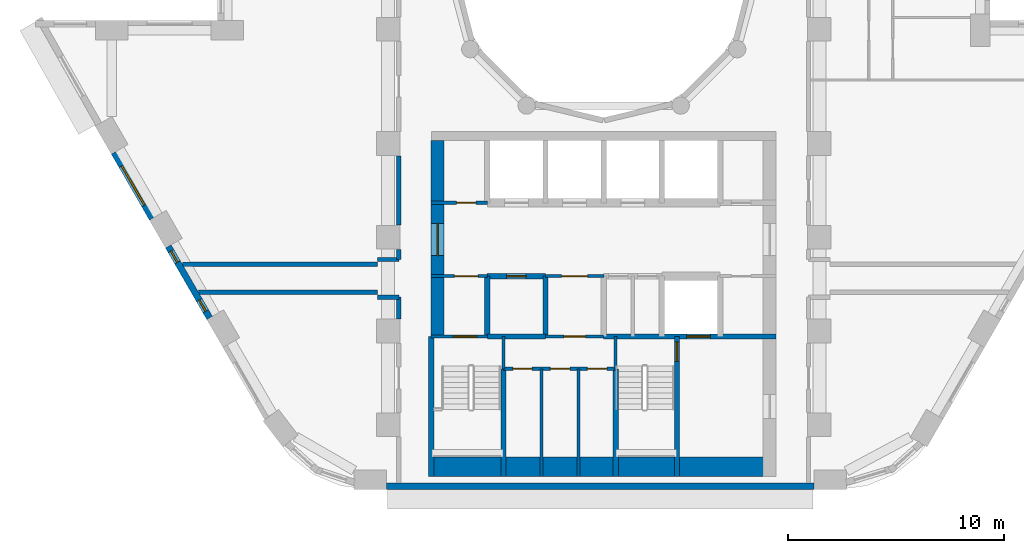
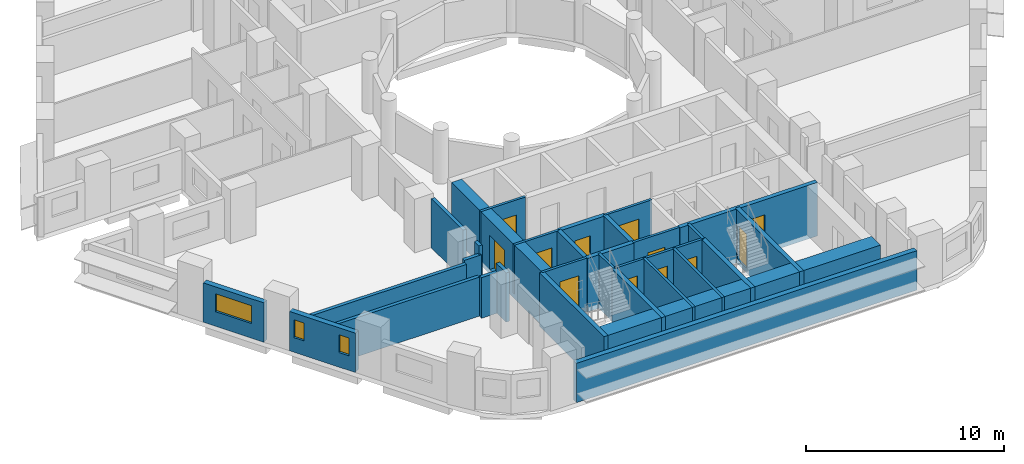
# One storey, part 3 of 13: 31 walls, 12 doors, 3 windows, 15 openings.
"""IFC4 building model written with IfcOpenShell, lengths in metres."""

from ifc_helpers import new_model, si_unit, direction, frame, frame_2d, origin, place, context, subcontext, project, spatial, rectangle, extrude, material, layer, layer_set, type_object, element, fill, save


model = new_model("IFC4")

# Units and contexts
model_context = context("Model", 3, precision=1e-05, world=origin(), true_north=direction((0.0, 1.0)))
body_context = subcontext(model_context, "Body", "Model", "MODEL_VIEW")
ifc_project = project(units=[si_unit("LENGTHUNIT", "METRE"), si_unit("AREAUNIT", "SQUARE_METRE"), si_unit("VOLUMEUNIT", "CUBIC_METRE"), si_unit("PLANEANGLEUNIT", "RADIAN"), si_unit("MASSUNIT", "GRAM", prefix="KILO")], contexts=[model_context])

# Site, building, storey
site_placement = place(None, origin())
site = spatial("IfcSite", under=ifc_project, at=site_placement, CompositionType="ELEMENT")
building_placement = place(site_placement, origin())
building = spatial("IfcBuilding", under=site, at=building_placement, Name="Nakaniwa Court", CompositionType="ELEMENT")
storey_placement = place(building_placement, frame((0.0, 0.0, 61.199951171875)))
storey = spatial("IfcBuildingStorey", under=building, at=storey_placement, Name="L16", CompositionType="ELEMENT", Elevation=61.199951171875)

# Walls
ifc_material_1 = material(Name="Acoustic double stud partition")
ifc_layer_1 = layer(ifc_material_1, 0.199951171875)
ifc_layer_set_1 = layer_set([ifc_layer_1], Name="Acoustic double stud partition")
wall_type_1 = type_object("IfcWallType", Name="Acoustic double stud partition 200", PredefinedType="PARTITIONING", material=ifc_layer_set_1)
wall_1_placement = place(storey_placement, frame((61.207275390625, 65.14990234375, 0.0), z_axis=(0.0, 0.0, 1.0), x_axis=(1.0, 0.0, 0.0)))
element("IfcWall", 1, at=wall_1_placement, inside=storey, type_object=wall_type_1, Name="Partition PW-092", PredefinedType="PARTITIONING", context=body_context, shape_type="SweptSolid", body=[
    extrude(rectangle(XDim=8.292724609375, YDim=0.199951171875, at=frame_2d((4.146484375, 0.0))), origin(), (0.0, 0.0, 1.0), 2.405029296875),
])
for number, where, z_axis, x_axis, name in (
    (2, (69.5, 64.925048828125, 0.0), (0.0, 0.0, 1.0), (1.0, 0.0, 0.0), "Partition PW-094"),
    (3, (69.5, 66.675048828125, 0.0), (0.0, 0.0, 1.0), (1.0, 0.0, 0.0), "Partition PW-096"),
):
    element("IfcWall", number, at=place(storey_placement, frame(where, z_axis=z_axis, x_axis=x_axis)), inside=storey, type_object=wall_type_1, Name=name, PredefinedType="PARTITIONING", context=body_context, shape_type="SweptSolid", body=[
        extrude(rectangle(XDim=1.0, YDim=0.199951171875, at=frame_2d((0.5, 0.0))), origin(), (0.0, 0.0, 1.0), 2.505126953125),
    ])
wall_2_placement = place(storey_placement, frame((60.456787109375, 66.449951171875, 0.0), z_axis=(0.0, 0.0, 1.0), x_axis=(1.0, 0.0, 0.0)))
element("IfcWall", 4, at=wall_2_placement, inside=storey, type_object=wall_type_1, Name="Partition PW-098", PredefinedType="PARTITIONING", context=body_context, shape_type="SweptSolid", body=[
    extrude(rectangle(XDim=9.043212890625, YDim=0.199951171875, at=frame_2d((4.521484375, 0.0))), origin(), (0.0, 0.0, 1.0), 2.405029296875),
])
wall_3_placement = place(storey_placement, frame((70.5, 63.9169921875, 0.0), z_axis=(0.0, 0.0, 1.0), x_axis=(0.0, 1.0, 0.0)))
element("IfcWall", 5, at=wall_3_placement, inside=storey, type_object=wall_type_1, Name="Partition PW-102", PredefinedType="PARTITIONING", context=body_context, shape_type="SweptSolid", body=[
    extrude(rectangle(XDim=1.010986328125, YDim=0.199951171875, at=frame_2d((0.50537109375, 0.0))), origin(), (0.0, 0.0, 1.0), 3.025146484375),
])
wall_4_placement = place(storey_placement, frame((70.5, 66.672119140625, 0.0), z_axis=(0.0, 0.0, 1.0), x_axis=(0.0, 1.0, 0.0)))
element("IfcWall", 6, at=wall_4_placement, inside=storey, type_object=wall_type_1, Name="Partition PW-103", PredefinedType="PARTITIONING", context=body_context, shape_type="SweptSolid", body=[
    extrude(rectangle(XDim=0.4609375, YDim=0.199951171875, at=frame_2d((0.23046875, 0.0))), origin(), (0.0, 0.0, 1.0), 3.025146484375),
])
wall_5_placement = place(storey_placement, frame((70.5, 68.26708984375, 0.0), z_axis=(0.0, 0.0, 1.0), x_axis=(0.0, 1.0, 0.0)))
element("IfcWall", 7, at=wall_5_placement, inside=storey, type_object=wall_type_1, Name="Partition PW-104", PredefinedType="PARTITIONING", context=body_context, shape_type="SweptSolid", body=[
    extrude(rectangle(XDim=3.2158203125, YDim=0.199951171875, at=frame_2d((1.60791015625, 0.0))), origin(), (0.0, 0.0, 1.0), 3.025146484375),
])

# Wall, opening, window
ifc_material_2 = material(Name="Charcoal ceramic cladding")
ifc_layer_2 = layer(ifc_material_2, 0.02, Name="Ceramic cladding")
ifc_material_3 = material(Name="Ventilated air cavity")
ifc_layer_3 = layer(ifc_material_3, 0.04, ventilated=True, Name="Ventilated cavity")
ifc_material_4 = material(Name="Mineral wool insulation")
ifc_layer_4 = layer(ifc_material_4, 0.1, Name="Insulation")
ifc_material_5 = material(Name="Cement bonded sheathing board")
ifc_layer_5 = layer(ifc_material_5, 0.012, Name="Sheathing")
ifc_material_6 = material(Name="Cold-formed galvanised stud frame with mineral wool infill")
ifc_layer_6 = layer(ifc_material_6, 0.1, Name="Stud frame")
ifc_material_7 = material(Name="Fire-rated gypsum plasterboard lining")
ifc_layer_7 = layer(ifc_material_7, 0.028, Name="Lining")
ifc_layer_set_2 = layer_set([ifc_layer_2, ifc_layer_3, ifc_layer_4, ifc_layer_5, ifc_layer_6, ifc_layer_7], Name="Charcoal ceramic faced external wall system")
wall_type_2 = type_object("IfcWallType", Name="Black ceramic faced external wall 300", PredefinedType="SOLIDWALL", material=ifc_layer_set_2)
wall_6_placement = place(storey_placement, frame((57.290283203125, 71.63427734375, 0.0), z_axis=(0.0, 0.0, 1.0), x_axis=(0.499977402622, -0.866038449993, 0.0)))
wall_6 = element("IfcWall", 8, at=wall_6_placement, inside=storey, type_object=wall_type_2, Name="L16 external wall 21", PredefinedType="SOLIDWALL", context=body_context, shape_type="SweptSolid", body=[
    extrude(rectangle(XDim=3.536865234375, YDim=0.300048828125, at=frame_2d((1.7685546875, 0.0))), origin(), (0.0, 0.0, 1.0), 2.425048828125),
])
opening_1_placement = place(wall_6_placement, frame((0.718505859375, 0.0, 0.89990234375)))
opening_1 = element("IfcOpeningElement", 9, at=opening_1_placement, cuts=wall_6, Name="Opening W7.23", PredefinedType="OPENING", context=body_context, shape_type="SweptSolid", body=[
    extrude(rectangle(XDim=2.10009765625, YDim=1.10009765625, at=frame_2d((1.050048828125, 0.550048828125))), frame((0.0, 0.159912109375, 0.0), z_axis=(0.0, -1.0, 0.0), x_axis=(1.0, 0.0, 0.0)), (0.0, 0.0, 1.0), 0.320068359375),
])
ifc_material_8 = material(Name="Black anodised aluminium frame with dark low-E laminated double glazing", Category="aluminium")
window_type_1 = type_object("IfcWindowType", Name="Dark glass window 2100x1100 sill 900", PartitioningType="SINGLE_PANEL", PredefinedType="WINDOW", material=ifc_material_8)
window_1_placement = place(opening_1_placement, origin())
window_1 = element("IfcWindow", 10, at=window_1_placement, inside=storey, type_object=window_type_1, Name="L16 habitable room window 21-0", OverallHeight=1.10009765625, OverallWidth=2.10009765625, PartitioningType="SINGLE_PANEL", PredefinedType="WINDOW", context=body_context, shape_type="SweptSolid", body=[
    extrude(rectangle(XDim=2.10009765625, YDim=1.10009765625, at=frame_2d((1.050048828125, 0.550048828125))), frame((0.0, 0.030029296875, 0.0), z_axis=(0.0, -1.0, 0.0), x_axis=(1.0, 0.0, 0.0)), (0.0, 0.0, 1.0), 0.06005859375),
])
fill(opening_1, window_1)

# Wall, openings, windows
wall_7_placement = place(storey_placement, frame((59.8046875, 67.279296875, 0.0), z_axis=(0.0, 0.0, 1.0), x_axis=(0.500001735503, -0.866024401789, 0.0)))
wall_7 = element("IfcWall", 11, at=wall_7_placement, inside=storey, type_object=wall_type_2, Name="L16 external wall 22", PredefinedType="SOLIDWALL", context=body_context, shape_type="SweptSolid", body=[
    extrude(rectangle(XDim=3.833984375, YDim=0.300048828125, at=frame_2d((1.9169921875, 0.0))), origin(), (0.0, 0.0, 1.0), 2.425048828125),
])
opening_2_placement = place(wall_7_placement, frame((0.252685546875, 0.0, 0.89990234375)))
opening_2 = element("IfcOpeningElement", 12, at=opening_2_placement, cuts=wall_7, Name="Opening W8.24", PredefinedType="OPENING", context=body_context, shape_type="SweptSolid", body=[
    extrude(rectangle(XDim=0.60009765625, YDim=1.10009765625, at=frame_2d((0.300048828125, 0.550048828125))), frame((0.0, 0.159912109375, 0.0), z_axis=(0.0, -1.0, 0.0), x_axis=(1.0, 0.0, 0.0)), (0.0, 0.0, 1.0), 0.320068359375),
])
opening_3_placement = place(wall_7_placement, frame((2.870361328125, 0.0, 0.89990234375)))
opening_3 = element("IfcOpeningElement", 13, at=opening_3_placement, cuts=wall_7, Name="Opening W8.25", PredefinedType="OPENING", context=body_context, shape_type="SweptSolid", body=[
    extrude(rectangle(XDim=0.60009765625, YDim=1.10009765625, at=frame_2d((0.300048828125, 0.550048828125))), frame((0.0, 0.159912109375, 0.0), z_axis=(0.0, -1.0, 0.0), x_axis=(1.0, 0.0, 0.0)), (0.0, 0.0, 1.0), 0.320068359375),
])
window_type_2 = type_object("IfcWindowType", Name="Dark glass window 600x1100 sill 900", PartitioningType="SINGLE_PANEL", PredefinedType="WINDOW", material=ifc_material_8)
window_2_placement = place(opening_2_placement, origin())
window_2 = element("IfcWindow", 14, at=window_2_placement, inside=storey, type_object=window_type_2, Name="L16 habitable room window 22-0", OverallHeight=1.10009765625, OverallWidth=0.60009765625, PartitioningType="SINGLE_PANEL", PredefinedType="WINDOW", context=body_context, shape_type="SweptSolid", body=[
    extrude(rectangle(XDim=0.60009765625, YDim=1.10009765625, at=frame_2d((0.300048828125, 0.550048828125))), frame((0.0, 0.030029296875, 0.0), z_axis=(0.0, -1.0, 0.0), x_axis=(1.0, 0.0, 0.0)), (0.0, 0.0, 1.0), 0.06005859375),
])
fill(opening_2, window_2)
window_3_placement = place(opening_3_placement, origin())
window_3 = element("IfcWindow", 15, at=window_3_placement, inside=storey, type_object=window_type_2, Name="L16 habitable room window 22-2", OverallHeight=1.10009765625, OverallWidth=0.60009765625, PartitioningType="SINGLE_PANEL", PredefinedType="WINDOW", context=body_context, shape_type="SweptSolid", body=[
    extrude(rectangle(XDim=0.60009765625, YDim=1.10009765625, at=frame_2d((0.300048828125, 0.550048828125))), frame((0.0, 0.030029296875, 0.0), z_axis=(0.0, -1.0, 0.0), x_axis=(1.0, 0.0, 0.0)), (0.0, 0.0, 1.0), 0.06005859375),
])
fill(opening_3, window_3)

# Wall
wall_8_placement = place(storey_placement, frame((69.92138671875, 56.14990234375, 0.0), z_axis=(0.0, 0.0, 1.0), x_axis=(1.0, 0.0, 0.0)))
element("IfcWall", 16, at=wall_8_placement, inside=storey, type_object=wall_type_2, Name="L16 external wall 26", PredefinedType="SOLIDWALL", context=body_context, shape_type="SweptSolid", body=[
    extrude(rectangle(XDim=19.839599609375, YDim=0.300048828125, at=frame_2d((9.919921875, 0.0))), origin(), (0.0, 0.0, 1.0), 2.425048828125),
])

# Wall, opening, door
ifc_material_9 = material(Name="Blockwork partition", Category="masonry")
ifc_layer_8 = layer(ifc_material_9, 0.14990234375)
ifc_layer_set_3 = layer_set([ifc_layer_8], Name="Blockwork partition")
wall_type_3 = type_object("IfcWallType", Name="Blockwork partition 150", PredefinedType="PARTITIONING", material=ifc_layer_set_3)
wall_9_placement = place(storey_placement, frame((72.0, 69.300048828125, 0.0), z_axis=(0.0, 0.0, 1.0), x_axis=(1.0, 0.0, 0.0)))
wall_9 = element("IfcWall", 17, at=wall_9_placement, inside=storey, type_object=wall_type_3, Name="Partition PW-038", PredefinedType="PARTITIONING", context=body_context, shape_type="SweptSolid", body=[
    extrude(rectangle(XDim=2.60009765625, YDim=0.14990234375, at=frame_2d((1.300048828125, 0.0))), origin(), (0.0, 0.0, 1.0), 3.025146484375),
])
opening_4_placement = place(wall_9_placement, frame((1.175048828125, 0.0, 0.0)))
opening_4 = element("IfcOpeningElement", 18, at=opening_4_placement, cuts=wall_9, Name="Opening D-05-10", PredefinedType="OPENING", context=body_context, shape_type="SweptSolid", body=[
    extrude(rectangle(XDim=0.89990234375, YDim=2.10009765625, at=frame_2d((0.449951171875, 1.050048828125))), frame((0.0, 0.0849609375, 0.0), z_axis=(0.0, -1.0, 0.0), x_axis=(1.0, 0.0, 0.0)), (0.0, 0.0, 1.0), 0.169921875),
])
ifc_material_10 = material(Name="Fire rated steel door set", Category="steel")
door_type_1 = type_object("IfcDoorType", Name="Service room door 900", OperationType="NOTDEFINED", PredefinedType="DOOR", material=ifc_material_10)
door_1_placement = place(opening_4_placement, origin())
door_1 = element("IfcDoor", 19, at=door_1_placement, inside=storey, type_object=door_type_1, Name="Door D-05-10 L16-015", OperationType="SINGLE_SWING_RIGHT", OverallHeight=2.10009765625, OverallWidth=0.89990234375, PredefinedType="DOOR", context=body_context, shape_type="SweptSolid", body=[
    extrude(rectangle(XDim=0.89990234375, YDim=2.10009765625, at=frame_2d((0.449951171875, 1.050048828125))), frame((0.0, 0.02490234375, 0.0), z_axis=(0.0, -1.0, 0.0), x_axis=(1.0, 0.0, 0.0)), (0.0, 0.0, 1.0), 0.050048828125),
])
fill(opening_4, door_1)

wall_10_placement = place(storey_placement, frame((74.60302734375, 65.89990234375, 0.0), z_axis=(0.0, 0.0, 1.0), x_axis=(-1.0, 0.0, 0.0)))
wall_10 = element("IfcWall", 20, at=wall_10_placement, inside=storey, type_object=wall_type_3, Name="Partition PW-051", PredefinedType="PARTITIONING", context=body_context, shape_type="SweptSolid", body=[
    extrude(rectangle(XDim=2.60302734375, YDim=0.14990234375, at=frame_2d((1.301513671875, 0.0))), origin(), (0.0, 0.0, 1.0), 3.025146484375),
])
opening_5_placement = place(wall_10_placement, frame((0.427978515625, 0.0, 0.0)))
opening_5 = element("IfcOpeningElement", 21, at=opening_5_placement, cuts=wall_10, Name="Opening D-08-02", PredefinedType="OPENING", context=body_context, shape_type="SweptSolid", body=[
    extrude(rectangle(XDim=1.10009765625, YDim=2.10009765625, at=frame_2d((0.550048828125, 1.050048828125))), frame((0.0, 0.0849609375, 0.0), z_axis=(0.0, -1.0, 0.0), x_axis=(1.0, 0.0, 0.0)), (0.0, 0.0, 1.0), 0.169921875),
])
door_type_2 = type_object("IfcDoorType", Name="Stair lobby door 1100", OperationType="NOTDEFINED", PredefinedType="DOOR", material=ifc_material_10)
door_2_placement = place(opening_5_placement, origin())
door_2 = element("IfcDoor", 22, at=door_2_placement, inside=storey, type_object=door_type_2, Name="Door D-08-02 L16-017", OperationType="SINGLE_SWING_RIGHT", OverallHeight=2.10009765625, OverallWidth=1.10009765625, PredefinedType="DOOR", context=body_context, shape_type="SweptSolid", body=[
    extrude(rectangle(XDim=1.10009765625, YDim=2.10009765625, at=frame_2d((0.550048828125, 1.050048828125))), frame((0.0, 0.02490234375, 0.0), z_axis=(0.0, -1.0, 0.0), x_axis=(1.0, 0.0, 0.0)), (0.0, 0.0, 1.0), 0.050048828125),
])
fill(opening_5, door_2)

wall_11_placement = place(storey_placement, frame((80.0029296875, 65.89990234375, 0.0), z_axis=(0.0, 0.0, 1.0), x_axis=(-1.0, 0.0, 0.0)))
wall_11 = element("IfcWall", 23, at=wall_11_placement, inside=storey, type_object=wall_type_3, Name="Partition PW-052", PredefinedType="PARTITIONING", context=body_context, shape_type="SweptSolid", body=[
    extrude(rectangle(XDim=2.705810546875, YDim=0.14990234375, at=frame_2d((1.35302734375, 0.0))), origin(), (0.0, 0.0, 1.0), 3.025146484375),
])
opening_6_placement = place(wall_11_placement, frame((0.7529296875, 0.0, 0.0)))
opening_6 = element("IfcOpeningElement", 24, at=opening_6_placement, cuts=wall_11, Name="Opening D-06-02", PredefinedType="OPENING", context=body_context, shape_type="SweptSolid", body=[
    extrude(rectangle(XDim=1.199951171875, YDim=2.10009765625, at=frame_2d((0.60009765625, 1.050048828125))), frame((0.0, 0.0849609375, 0.0), z_axis=(0.0, -1.0, 0.0), x_axis=(1.0, 0.0, 0.0)), (0.0, 0.0, 1.0), 0.169921875),
])
ifc_material_11 = material(Name="Fire rated steel double door set", Category="steel")
door_type_3 = type_object("IfcDoorType", Name="Service passage double door 1200", OperationType="NOTDEFINED", PredefinedType="DOOR", material=ifc_material_11)
door_3_placement = place(opening_6_placement, origin())
door_3 = element("IfcDoor", 25, at=door_3_placement, inside=storey, type_object=door_type_3, Name="Door D-06-02 L16-019", OperationType="DOUBLE_DOOR_SINGLE_SWING", OverallHeight=2.10009765625, OverallWidth=1.199951171875, PredefinedType="DOOR", context=body_context, shape_type="SweptSolid", body=[
    extrude(rectangle(XDim=1.199951171875, YDim=2.10009765625, at=frame_2d((0.60009765625, 1.050048828125))), frame((0.0, 0.02490234375, 0.0), z_axis=(0.0, -1.0, 0.0), x_axis=(1.0, 0.0, 0.0)), (0.0, 0.0, 1.0), 0.050048828125),
])
fill(opening_6, door_3)

wall_12_placement = place(storey_placement, frame((80.0, 63.10009765625, 0.0), z_axis=(0.0, 0.0, 1.0), x_axis=(-1.0, 0.0, 0.0)))
wall_12 = element("IfcWall", 26, at=wall_12_placement, inside=storey, type_object=wall_type_3, Name="Partition PW-060", PredefinedType="PARTITIONING", context=body_context, shape_type="SweptSolid", body=[
    extrude(rectangle(XDim=2.699951171875, YDim=0.14990234375, at=frame_2d((1.35009765625, 0.0))), origin(), (0.0, 0.0, 1.0), 3.025146484375),
])
opening_7_placement = place(wall_12_placement, frame((0.85009765625, 0.0, 0.0)))
opening_7 = element("IfcOpeningElement", 27, at=opening_7_placement, cuts=wall_12, Name="Opening D-23-02", PredefinedType="OPENING", context=body_context, shape_type="SweptSolid", body=[
    extrude(rectangle(XDim=1.0, YDim=2.10009765625, at=frame_2d((0.5, 1.050048828125))), frame((0.0, 0.0849609375, 0.0), z_axis=(0.0, -1.0, 0.0), x_axis=(1.0, 0.0, 0.0)), (0.0, 0.0, 1.0), 0.169921875),
])
door_type_4 = type_object("IfcDoorType", Name="Service room door 1000", OperationType="NOTDEFINED", PredefinedType="DOOR", material=ifc_material_10)
door_4_placement = place(opening_7_placement, origin())
door_4 = element("IfcDoor", 28, at=door_4_placement, inside=storey, type_object=door_type_4, Name="Door D-23-02 L16-023", OperationType="SINGLE_SWING_RIGHT", OverallHeight=2.10009765625, OverallWidth=1.0, PredefinedType="DOOR", context=body_context, shape_type="SweptSolid", body=[
    extrude(rectangle(XDim=1.0, YDim=2.10009765625, at=frame_2d((0.5, 1.050048828125))), frame((0.0, 0.02490234375, 0.0), z_axis=(0.0, -1.0, 0.0), x_axis=(1.0, 0.0, 0.0)), (0.0, 0.0, 1.0), 0.050048828125),
])
fill(opening_7, door_4)

# Wall, openings, doors
wall_13_placement = place(storey_placement, frame((80.550048828125, 61.60009765625, 0.0), z_axis=(0.0, 0.0, 1.0), x_axis=(-1.0, 0.0, 0.0)))
wall_13 = element("IfcWall", 29, at=wall_13_placement, inside=storey, type_object=wall_type_3, Name="Partition PW-068", PredefinedType="PARTITIONING", context=body_context, shape_type="SweptSolid", body=[
    extrude(rectangle(XDim=5.199951171875, YDim=0.14990234375, at=frame_2d((2.60009765625, 0.0))), origin(), (0.0, 0.0, 1.0), 3.025146484375),
])
opening_8_placement = place(wall_13_placement, frame((3.865966796875, 0.0, 0.0)))
opening_8 = element("IfcOpeningElement", 30, at=opening_8_placement, cuts=wall_13, Name="Opening D-05-16", PredefinedType="OPENING", context=body_context, shape_type="SweptSolid", body=[
    extrude(rectangle(XDim=0.89990234375, YDim=2.10009765625, at=frame_2d((0.449951171875, 1.050048828125))), frame((0.0, 0.0849609375, 0.0), z_axis=(0.0, -1.0, 0.0), x_axis=(1.0, 0.0, 0.0)), (0.0, 0.0, 1.0), 0.169921875),
])
opening_9_placement = place(wall_13_placement, frame((2.1240234375, 0.0, 0.0)))
opening_9 = element("IfcOpeningElement", 31, at=opening_9_placement, cuts=wall_13, Name="Opening D-05-17", PredefinedType="OPENING", context=body_context, shape_type="SweptSolid", body=[
    extrude(rectangle(XDim=0.89990234375, YDim=2.10009765625, at=frame_2d((0.449951171875, 1.050048828125))), frame((0.0, 0.0849609375, 0.0), z_axis=(0.0, -1.0, 0.0), x_axis=(1.0, 0.0, 0.0)), (0.0, 0.0, 1.0), 0.169921875),
])
opening_10_placement = place(wall_13_placement, frame((0.407958984375, 0.0, 0.0)))
opening_10 = element("IfcOpeningElement", 32, at=opening_10_placement, cuts=wall_13, Name="Opening D-05-18", PredefinedType="OPENING", context=body_context, shape_type="SweptSolid", body=[
    extrude(rectangle(XDim=0.89990234375, YDim=2.10009765625, at=frame_2d((0.449951171875, 1.050048828125))), frame((0.0, 0.0849609375, 0.0), z_axis=(0.0, -1.0, 0.0), x_axis=(1.0, 0.0, 0.0)), (0.0, 0.0, 1.0), 0.169921875),
])
door_5_placement = place(opening_8_placement, origin())
door_5 = element("IfcDoor", 33, at=door_5_placement, inside=storey, type_object=door_type_1, Name="Door D-05-16 L16-024", OperationType="SINGLE_SWING_LEFT", OverallHeight=2.10009765625, OverallWidth=0.89990234375, PredefinedType="DOOR", context=body_context, shape_type="SweptSolid", body=[
    extrude(rectangle(XDim=0.89990234375, YDim=2.10009765625, at=frame_2d((0.449951171875, 1.050048828125))), frame((0.0, 0.02490234375, 0.0), z_axis=(0.0, -1.0, 0.0), x_axis=(1.0, 0.0, 0.0)), (0.0, 0.0, 1.0), 0.050048828125),
])
fill(opening_8, door_5)
door_6_placement = place(opening_9_placement, origin())
door_6 = element("IfcDoor", 34, at=door_6_placement, inside=storey, type_object=door_type_1, Name="Door D-05-17 L16-025", OperationType="SINGLE_SWING_RIGHT", OverallHeight=2.10009765625, OverallWidth=0.89990234375, PredefinedType="DOOR", context=body_context, shape_type="SweptSolid", body=[
    extrude(rectangle(XDim=0.89990234375, YDim=2.10009765625, at=frame_2d((0.449951171875, 1.050048828125))), frame((0.0, 0.02490234375, 0.0), z_axis=(0.0, -1.0, 0.0), x_axis=(1.0, 0.0, 0.0)), (0.0, 0.0, 1.0), 0.050048828125),
])
fill(opening_9, door_6)
door_7_placement = place(opening_10_placement, origin())
door_7 = element("IfcDoor", 35, at=door_7_placement, inside=storey, type_object=door_type_1, Name="Door D-05-18 L16-026", OperationType="SINGLE_SWING_LEFT", OverallHeight=2.10009765625, OverallWidth=0.89990234375, PredefinedType="DOOR", context=body_context, shape_type="SweptSolid", body=[
    extrude(rectangle(XDim=0.89990234375, YDim=2.10009765625, at=frame_2d((0.449951171875, 1.050048828125))), frame((0.0, 0.02490234375, 0.0), z_axis=(0.0, -1.0, 0.0), x_axis=(1.0, 0.0, 0.0)), (0.0, 0.0, 1.0), 0.050048828125),
])
fill(opening_10, door_7)

# Walls
for number, where, z_axis, x_axis, name in (
    (36, (77.117919921875, 56.60009765625, 0.0), (0.0, 0.0, 1.0), (0.0, 1.0, 0.0), "Partition PW-069"),
    (37, (78.833984375, 56.60009765625, 0.0), (0.0, 0.0, 1.0), (0.0, 1.0, 0.0), "Partition PW-070"),
):
    element("IfcWall", number, at=place(storey_placement, frame(where, z_axis=z_axis, x_axis=x_axis)), inside=storey, type_object=wall_type_3, Name=name, PredefinedType="PARTITIONING", context=body_context, shape_type="SweptSolid", body=[
        extrude(rectangle(XDim=5.0, YDim=0.14990234375, at=frame_2d((2.5, 0.0))), origin(), (0.0, 0.0, 1.0), 3.025146484375),
    ])

# Wall, opening, door
ifc_material_12 = material(Name="Concrete C100/115", Category="concrete")
ifc_layer_9 = layer(ifc_material_12, 0.60009765625)
ifc_layer_set_4 = layer_set([ifc_layer_9], Name="Concrete C100/115")
wall_type_4 = type_object("IfcWallType", Name="Concrete core side wall 600 C100", PredefinedType="SHEAR", material=ifc_layer_set_4)
wall_14_placement = place(storey_placement, frame((72.300048828125, 63.10009765625, -0.27490234375), z_axis=(0.0, 0.0, 1.0), x_axis=(0.0, 1.0, 0.0)))
wall_14 = element("IfcWall", 38, at=wall_14_placement, inside=storey, type_object=wall_type_4, Name="Core wall SW-39", PredefinedType="SHEAR", context=body_context, shape_type="SweptSolid", body=[
    extrude(rectangle(XDim=9.099853515625, YDim=0.60009765625, at=frame_2d((4.5498046875, 0.0))), origin(), (0.0, 0.0, 1.0), 3.300048828125),
])
opening_11_placement = place(wall_14_placement, frame((3.75, 0.0, 0.27490234375)))
opening_11 = element("IfcOpeningElement", 39, at=opening_11_placement, cuts=wall_14, Name="Opening D-07-04", PredefinedType="OPENING", context=body_context, shape_type="SweptSolid", body=[
    extrude(rectangle(XDim=1.5, YDim=2.10009765625, at=frame_2d((0.75, 1.050048828125))), frame((0.0, 0.31005859375, 0.0), z_axis=(0.0, -1.0, 0.0), x_axis=(1.0, 0.0, 0.0)), (0.0, 0.0, 1.0), 0.6201171875),
])
ifc_material_13 = material(Name="Glazed fire rated steel double door set", Category="steel")
door_type_5 = type_object("IfcDoorType", Name="Lobby double door 1500", OperationType="NOTDEFINED", PredefinedType="DOOR", material=ifc_material_13)
door_8_placement = place(opening_11_placement, origin())
door_8 = element("IfcDoor", 40, at=door_8_placement, inside=storey, type_object=door_type_5, Name="Door D-07-04 L16-058", OperationType="DOUBLE_DOOR_SINGLE_SWING", OverallHeight=2.10009765625, OverallWidth=1.5, PredefinedType="DOOR", context=body_context, shape_type="SweptSolid", body=[
    extrude(rectangle(XDim=1.5, YDim=2.10009765625, at=frame_2d((0.75, 1.050048828125))), frame((0.0, 0.02490234375, 0.0), z_axis=(0.0, -1.0, 0.0), x_axis=(1.0, 0.0, 0.0)), (0.0, 0.0, 1.0), 0.050048828125),
])
fill(opening_11, door_8)

ifc_layer_10 = layer(ifc_material_12, 0.14990234375)
ifc_layer_set_5 = layer_set([ifc_layer_10], Name="Concrete C100/115")
wall_type_5 = type_object("IfcWallType", Name="Concrete core wall 150 C100", PredefinedType="SHEAR", material=ifc_layer_set_5)
wall_15_placement = place(storey_placement, frame((72.0, 63.10009765625, -0.27490234375), z_axis=(0.0, 0.0, 1.0), x_axis=(1.0, 0.0, 0.0)))
wall_15 = element("IfcWall", 41, at=wall_15_placement, inside=storey, type_object=wall_type_5, Name="Core wall SW-57", PredefinedType="SHEAR", context=body_context, shape_type="SweptSolid", body=[
    extrude(rectangle(XDim=2.60009765625, YDim=0.14990234375, at=frame_2d((1.300048828125, 0.0))), origin(), (0.0, 0.0, 1.0), 3.300048828125),
])
opening_12_placement = place(wall_15_placement, frame((1.02001953125, 0.0, 0.27490234375)))
opening_12 = element("IfcOpeningElement", 42, at=opening_12_placement, cuts=wall_15, Name="Opening D-09-02", PredefinedType="OPENING", context=body_context, shape_type="SweptSolid", body=[
    extrude(rectangle(XDim=1.10009765625, YDim=2.10009765625, at=frame_2d((0.550048828125, 1.050048828125))), frame((0.0, 0.0849609375, 0.0), z_axis=(0.0, -1.0, 0.0), x_axis=(1.0, 0.0, 0.0)), (0.0, 0.0, 1.0), 0.169921875),
])
door_type_6 = type_object("IfcDoorType", Name="Stair door 1100", OperationType="NOTDEFINED", PredefinedType="DOOR", material=ifc_material_10)
door_9_placement = place(opening_12_placement, origin())
door_9 = element("IfcDoor", 43, at=door_9_placement, inside=storey, type_object=door_type_6, Name="Door D-09-02 L16-027", OperationType="SINGLE_SWING_LEFT", OverallHeight=2.10009765625, OverallWidth=1.10009765625, PredefinedType="DOOR", context=body_context, shape_type="SweptSolid", body=[
    extrude(rectangle(XDim=1.10009765625, YDim=2.10009765625, at=frame_2d((0.550048828125, 1.050048828125))), frame((0.0, 0.02490234375, 0.0), z_axis=(0.0, -1.0, 0.0), x_axis=(1.0, 0.0, 0.0)), (0.0, 0.0, 1.0), 0.050048828125),
])
fill(opening_12, door_9)

# Walls
for number, where, z_axis, x_axis, name in (
    (44, (75.35009765625, 61.596923828125, -0.27490234375), (0.0, 0.0, 1.0), (0.0, 1.0, 0.0), "Core wall SW-62"),
    (45, (80.550048828125, 61.596923828125, -0.27490234375), (0.0, 0.0, 1.0), (0.0, 1.0, 0.0), "Core wall SW-66"),
):
    element("IfcWall", number, at=place(storey_placement, frame(where, z_axis=z_axis, x_axis=x_axis)), inside=storey, type_object=wall_type_5, Name=name, PredefinedType="SHEAR", context=body_context, shape_type="SweptSolid", body=[
        extrude(rectangle(XDim=1.503173828125, YDim=0.14990234375, at=frame_2d((0.75146484375, 0.0))), origin(), (0.0, 0.0, 1.0), 3.300048828125),
    ])
ifc_layer_11 = layer(ifc_material_12, 0.25)
ifc_layer_set_6 = layer_set([ifc_layer_11], Name="Concrete C100/115")
wall_type_6 = type_object("IfcWallType", Name="Concrete core wall 250 C100", PredefinedType="SHEAR", material=ifc_layer_set_6)
wall_16_placement = place(storey_placement, frame((72.0, 56.60009765625, -0.27490234375), z_axis=(0.0, 0.0, 1.0), x_axis=(0.0, 1.0, 0.0)))
element("IfcWall", 46, at=wall_16_placement, inside=storey, type_object=wall_type_6, Name="Core wall SW-64", PredefinedType="SHEAR", context=body_context, shape_type="SweptSolid", body=[
    extrude(rectangle(XDim=6.5, YDim=0.25, at=frame_2d((3.25, 0.0))), origin(), (0.0, 0.0, 1.0), 3.300048828125),
])
ifc_layer_12 = layer(ifc_material_12, 0.89990234375)
ifc_layer_set_7 = layer_set([ifc_layer_12], Name="Concrete C100/115")
wall_type_7 = type_object("IfcWallType", Name="Concrete core wall 900 C100", PredefinedType="SHEAR", material=ifc_layer_set_7)
wall_17_placement = place(storey_placement, frame((72.00390625, 57.050048828125, -0.27490234375), z_axis=(0.0, 0.0, 1.0), x_axis=(1.0, 0.0, 0.0)))
element("IfcWall", 47, at=wall_17_placement, inside=storey, type_object=wall_type_7, Name="Core wall SW-137", PredefinedType="SHEAR", context=body_context, shape_type="SweptSolid", body=[
    extrude(rectangle(XDim=15.9921875, YDim=0.89990234375, at=frame_2d((7.99609375, 0.0))), origin(), (0.0, 0.0, 1.0), 3.300048828125),
])
ifc_layer_13 = layer(ifc_material_12, 0.25)
ifc_layer_set_8 = layer_set([ifc_layer_13], Name="Concrete C100/115")
wall_type_8 = type_object("IfcWallType", Name="Concrete shaft wall 250 C100", PredefinedType="SHEAR", material=ifc_layer_set_8)
for number, where, z_axis, x_axis, name in (
    (48, (74.60009765625, 63.10009765625, -0.27490234375), (0.0, 0.0, 1.0), (0.0, 1.0, 0.0), "Core wall SW-36"),
    (49, (77.300048828125, 63.10009765625, -0.27490234375), (0.0, 0.0, 1.0), (0.0, 1.0, 0.0), "Core wall SW-40"),
):
    element("IfcWall", number, at=place(storey_placement, frame(where, z_axis=z_axis, x_axis=x_axis)), inside=storey, type_object=wall_type_8, Name=name, PredefinedType="SHEAR", context=body_context, shape_type="SweptSolid", body=[
        extrude(rectangle(XDim=2.7998046875, YDim=0.25, at=frame_2d((1.39990234375, 0.0))), origin(), (0.0, 0.0, 1.0), 3.300048828125),
    ])

# Wall, opening, door
wall_18_placement = place(storey_placement, frame((77.302978515625, 65.89990234375, -0.27490234375), z_axis=(0.0, 0.0, 1.0), x_axis=(-1.0, 0.0, 0.0)))
wall_18 = element("IfcWall", 50, at=wall_18_placement, inside=storey, type_object=wall_type_8, Name="Core wall SW-54", PredefinedType="SHEAR", context=body_context, shape_type="SweptSolid", body=[
    extrude(rectangle(XDim=2.7060546875, YDim=0.25, at=frame_2d((1.35302734375, 0.0))), origin(), (0.0, 0.0, 1.0), 3.300048828125),
])
opening_13_placement = place(wall_18_placement, frame((0.903076171875, 0.0, 0.27490234375)))
opening_13 = element("IfcOpeningElement", 51, at=opening_13_placement, cuts=wall_18, Name="Opening D-05-12", PredefinedType="OPENING", context=body_context, shape_type="SweptSolid", body=[
    extrude(rectangle(XDim=0.89990234375, YDim=2.10009765625, at=frame_2d((0.449951171875, 1.050048828125))), frame((0.0, 0.135009765625, 0.0), z_axis=(0.0, -1.0, 0.0), x_axis=(1.0, 0.0, 0.0)), (0.0, 0.0, 1.0), 0.27001953125),
])
door_10_placement = place(opening_13_placement, origin())
door_10 = element("IfcDoor", 52, at=door_10_placement, inside=storey, type_object=door_type_1, Name="Door D-05-12 L16-018", OperationType="SINGLE_SWING_LEFT", OverallHeight=2.10009765625, OverallWidth=0.89990234375, PredefinedType="DOOR", context=body_context, shape_type="SweptSolid", body=[
    extrude(rectangle(XDim=0.89990234375, YDim=2.10009765625, at=frame_2d((0.449951171875, 1.050048828125))), frame((0.0, 0.02490234375, 0.0), z_axis=(0.0, -1.0, 0.0), x_axis=(1.0, 0.0, 0.0)), (0.0, 0.0, 1.0), 0.050048828125),
])
fill(opening_13, door_10)

# Wall
wall_19_placement = place(storey_placement, frame((74.60009765625, 63.10009765625, -0.27490234375), z_axis=(0.0, 0.0, 1.0), x_axis=(1.0, 0.0, 0.0)))
element("IfcWall", 53, at=wall_19_placement, inside=storey, type_object=wall_type_8, Name="Core wall SW-58", PredefinedType="SHEAR", context=body_context, shape_type="SweptSolid", body=[
    extrude(rectangle(XDim=2.699951171875, YDim=0.25, at=frame_2d((1.35009765625, 0.0))), origin(), (0.0, 0.0, 1.0), 3.300048828125),
])

# Wall, opening, door
wall_20_placement = place(storey_placement, frame((80.0, 63.10009765625, -0.27490234375), z_axis=(0.0, 0.0, 1.0), x_axis=(1.0, 0.0, 0.0)))
wall_20 = element("IfcWall", 54, at=wall_20_placement, inside=storey, type_object=wall_type_8, Name="Core wall SW-59", PredefinedType="SHEAR", context=body_context, shape_type="SweptSolid", body=[
    extrude(rectangle(XDim=8.0, YDim=0.25, at=frame_2d((4.0, 0.0))), origin(), (0.0, 0.0, 1.0), 3.300048828125),
])
opening_14_placement = place(wall_20_placement, frame((3.84912109375, 0.0, 0.27490234375)))
opening_14 = element("IfcOpeningElement", 55, at=opening_14_placement, cuts=wall_20, Name="Opening LD08", PredefinedType="OPENING", context=body_context, shape_type="SweptSolid", body=[
    extrude(rectangle(XDim=1.10009765625, YDim=2.10009765625, at=frame_2d((0.550048828125, 1.050048828125))), frame((0.0, 0.135009765625, 0.0), z_axis=(0.0, -1.0, 0.0), x_axis=(1.0, 0.0, 0.0)), (0.0, 0.0, 1.0), 0.27001953125),
])
ifc_material_14 = material(Name="Stainless steel sliding lift landing door", Category="steel")
door_type_7 = type_object("IfcDoorType", Name="Lift landing door 1100", OperationType="NOTDEFINED", PredefinedType="DOOR", material=ifc_material_14)
door_11_placement = place(opening_14_placement, origin())
door_11 = element("IfcDoor", 56, at=door_11_placement, inside=storey, type_object=door_type_7, Name="Lift landing door LD08 L16-008", OperationType="SLIDING_TO_LEFT", OverallHeight=2.10009765625, OverallWidth=1.10009765625, PredefinedType="DOOR", context=body_context, shape_type="SweptSolid", body=[
    extrude(rectangle(XDim=1.10009765625, YDim=2.10009765625, at=frame_2d((0.550048828125, 1.050048828125))), frame((0.0, 0.02490234375, 0.0), z_axis=(0.0, -1.0, 0.0), x_axis=(1.0, 0.0, 0.0)), (0.0, 0.0, 1.0), 0.050048828125),
])
fill(opening_14, door_11)

# Wall
wall_21_placement = place(storey_placement, frame((75.35009765625, 56.60009765625, -0.27490234375), z_axis=(0.0, 0.0, 1.0), x_axis=(0.0, 1.0, 0.0)))
element("IfcWall", 57, at=wall_21_placement, inside=storey, type_object=wall_type_8, Name="Core wall SW-63", PredefinedType="SHEAR", context=body_context, shape_type="SweptSolid", body=[
    extrude(rectangle(XDim=5.0029296875, YDim=0.25, at=frame_2d((2.50146484375, 0.0))), origin(), (0.0, 0.0, 1.0), 3.300048828125),
])

# Wall, opening, door
wall_22_placement = place(storey_placement, frame((83.39990234375, 63.10009765625, -0.27490234375), z_axis=(0.0, 0.0, 1.0), x_axis=(0.0, -1.0, 0.0)))
wall_22 = element("IfcWall", 58, at=wall_22_placement, inside=storey, type_object=wall_type_8, Name="Core wall SW-65", PredefinedType="SHEAR", context=body_context, shape_type="SweptSolid", body=[
    extrude(rectangle(XDim=6.5, YDim=0.25, at=frame_2d((3.25, 0.0))), origin(), (0.0, 0.0, 1.0), 3.300048828125),
])
opening_15_placement = place(wall_22_placement, frame((0.25, 0.0, 0.27490234375)))
opening_15 = element("IfcOpeningElement", 59, at=opening_15_placement, cuts=wall_22, Name="Opening D-11-02", PredefinedType="OPENING", context=body_context, shape_type="SweptSolid", body=[
    extrude(rectangle(XDim=0.89990234375, YDim=2.10009765625, at=frame_2d((0.449951171875, 1.050048828125))), frame((0.0, 0.135009765625, 0.0), z_axis=(0.0, -1.0, 0.0), x_axis=(1.0, 0.0, 0.0)), (0.0, 0.0, 1.0), 0.27001953125),
])
door_type_8 = type_object("IfcDoorType", Name="Stair door 900", OperationType="NOTDEFINED", PredefinedType="DOOR", material=ifc_material_10)
door_12_placement = place(opening_15_placement, origin())
door_12 = element("IfcDoor", 60, at=door_12_placement, inside=storey, type_object=door_type_8, Name="Door D-11-02 L16-028", OperationType="SINGLE_SWING_RIGHT", OverallHeight=2.10009765625, OverallWidth=0.89990234375, PredefinedType="DOOR", context=body_context, shape_type="SweptSolid", body=[
    extrude(rectangle(XDim=0.89990234375, YDim=2.10009765625, at=frame_2d((0.449951171875, 1.050048828125))), frame((0.0, 0.02490234375, 0.0), z_axis=(0.0, -1.0, 0.0), x_axis=(1.0, 0.0, 0.0)), (0.0, 0.0, 1.0), 0.050048828125),
])
fill(opening_15, door_12)

# Wall
wall_23_placement = place(storey_placement, frame((80.550048828125, 56.60009765625, -0.27490234375), z_axis=(0.0, 0.0, 1.0), x_axis=(0.0, 1.0, 0.0)))
element("IfcWall", 61, at=wall_23_placement, inside=storey, type_object=wall_type_8, Name="Core wall SW-67", PredefinedType="SHEAR", context=body_context, shape_type="SweptSolid", body=[
    extrude(rectangle(XDim=5.0029296875, YDim=0.25, at=frame_2d((2.50146484375, 0.0))), origin(), (0.0, 0.0, 1.0), 3.300048828125),
])

save(model, "model.ifc")
